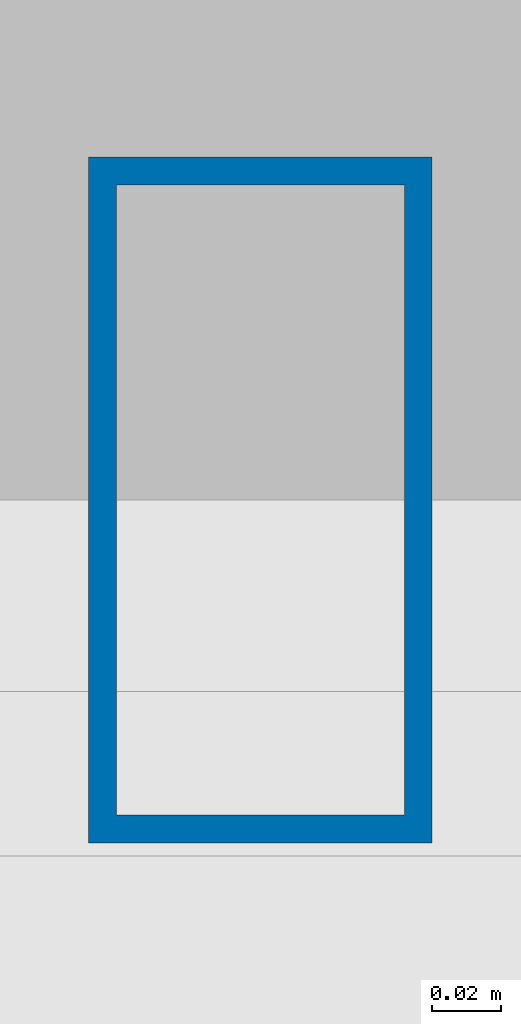
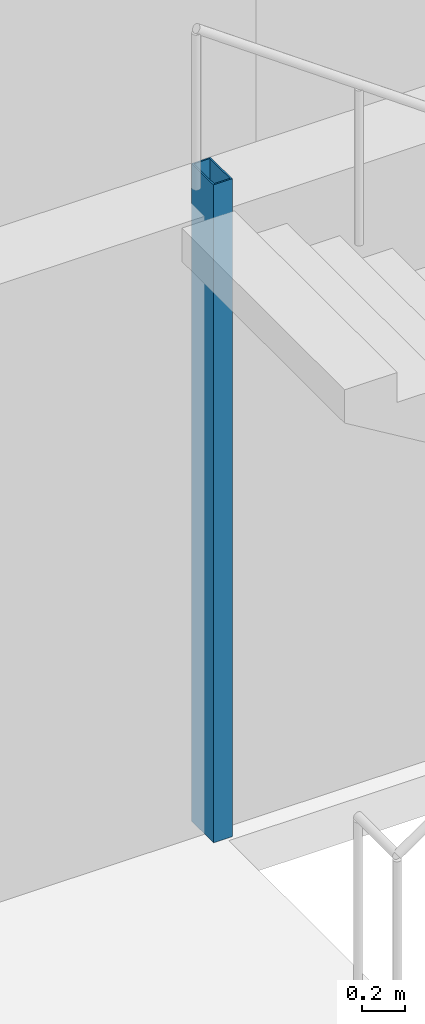
# One storey, part 2 of 18: 1 column.
"""IFC4 building model written with IfcOpenShell, lengths in metres."""

from ifc_helpers import new_model, si_unit, direction, frame, origin, origin_2d, place, context, subcontext, project, spatial, hollow_rectangle, extrude, material, material_profile, profile_set, type_object, element, save


model = new_model("IFC4")

# Units and contexts
model_context = context("Model", 3, precision=1e-05, world=origin(), true_north=direction((0.0, 1.0)))
body_context = subcontext(model_context, "Body", "Model", "MODEL_VIEW")
ifc_project = project(units=[si_unit("LENGTHUNIT", "METRE"), si_unit("AREAUNIT", "SQUARE_METRE"), si_unit("VOLUMEUNIT", "CUBIC_METRE"), si_unit("PLANEANGLEUNIT", "RADIAN"), si_unit("MASSUNIT", "GRAM", prefix="KILO")], contexts=[model_context])

# Site, building, storey
site_placement = place(None, origin())
site = spatial("IfcSite", under=ifc_project, at=site_placement, CompositionType="ELEMENT")
building_placement = place(site_placement, origin())
building = spatial("IfcBuilding", under=site, at=building_placement, Name="Menara Jurai Vektor", CompositionType="ELEMENT")
storey_placement = place(building_placement, frame((0.0, 0.0, 102.199951171875)))
storey = spatial("IfcBuildingStorey", under=building, at=storey_placement, Name="L25", CompositionType="ELEMENT", Elevation=102.199951171875)

# Column
ifc_material = material(Name="Steel S355", Category="steel")
ifc_material_profile = material_profile(ifc_material, hollow_rectangle(XDim=0.10009765625, YDim=0.199951171875, WallThickness=0.008056640625, at=origin_2d()), Name="RHS 200x100x8")
ifc_profile_set = profile_set([ifc_material_profile], Name="Steel S355")
column_type = type_object("IfcColumnType", Name="STR-COL-STAIR", PredefinedType="COLUMN", material=ifc_profile_set)
column_placement = place(storey_placement, frame((-11.1201171875, 5.419921875, 0.0), z_axis=(0.0, 0.0, 1.0), x_axis=(1.0, 0.0, 0.0)))
element("IfcColumn", 1, at=column_placement, inside=storey, type_object=column_type, Name="Stair Well Header Column ST1-P2 L25", PredefinedType="COLUMN", context=body_context, shape_type="SweptSolid", body=[
    extrude(hollow_rectangle(XDim=0.10009765625, YDim=0.199951171875, WallThickness=0.008056640625, at=origin_2d()), origin(), (0.0, 0.0, 1.0), 3.699951171875),
])

save(model, "model.ifc")
